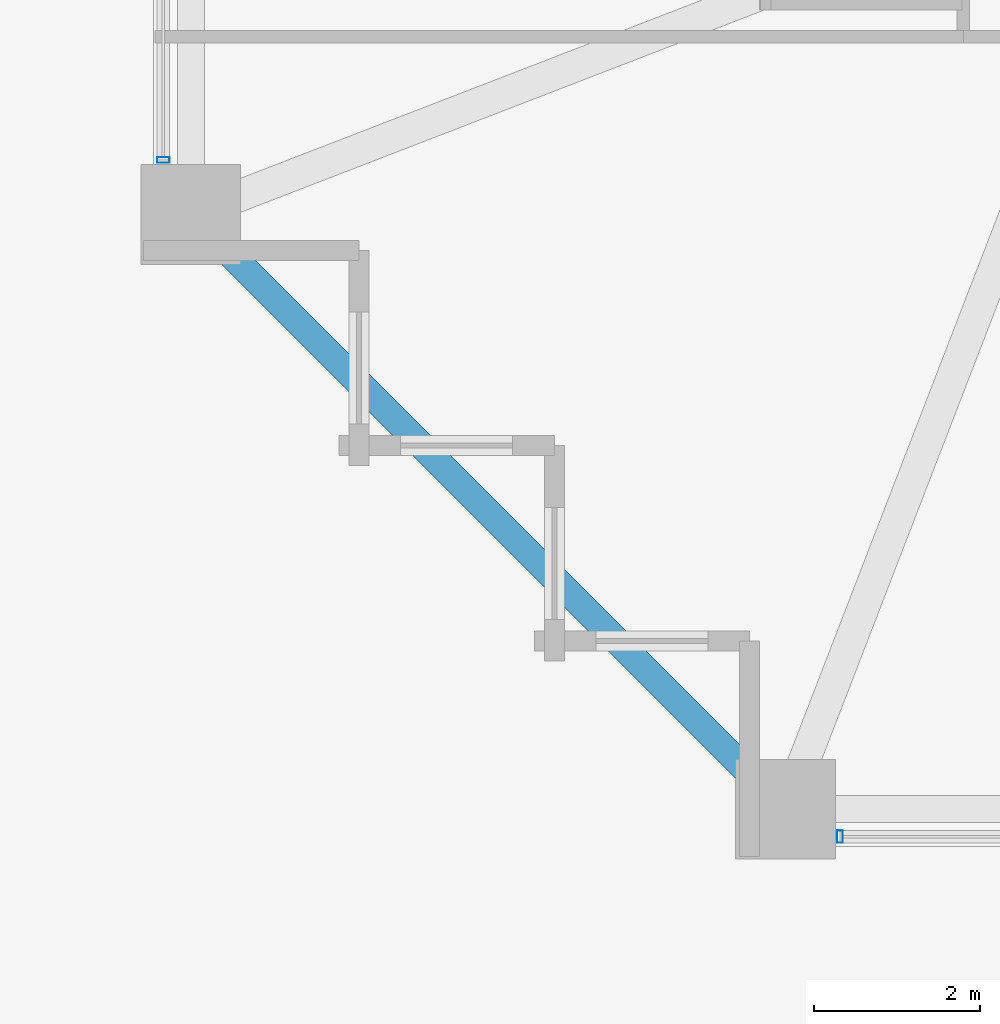
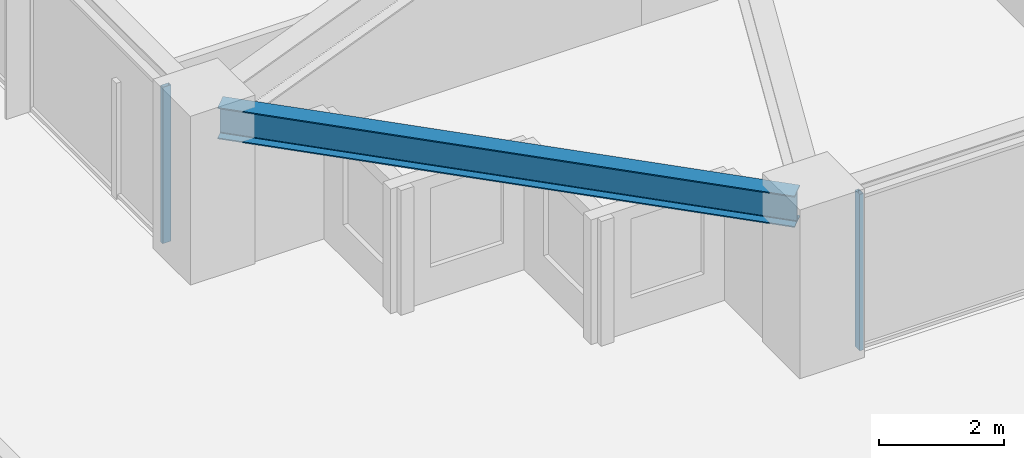
# One storey, part 2 of 36: 2 members, 1 beam, 2 elements without a shape of their own.
"""IFC4 building model written with IfcOpenShell, lengths in metres."""

from ifc_helpers import new_model, si_unit, direction, frame, origin, origin_2d, place, context, subcontext, project, spatial, hollow_rectangle, i_section, extrude, material, material_profile, profile_set, type_object, element, aggregate, save


model = new_model("IFC4")

# Units and contexts
model_context = context("Model", 3, precision=1e-05, world=origin(), true_north=direction((0.0, 1.0)))
body_context = subcontext(model_context, "Body", "Model", "MODEL_VIEW")
ifc_project = project(units=[si_unit("LENGTHUNIT", "METRE"), si_unit("AREAUNIT", "SQUARE_METRE"), si_unit("VOLUMEUNIT", "CUBIC_METRE"), si_unit("PLANEANGLEUNIT", "RADIAN"), si_unit("MASSUNIT", "GRAM", prefix="KILO")], contexts=[model_context])

# Site, building, storey
site_placement = place(None, origin())
site = spatial("IfcSite", under=ifc_project, at=site_placement, CompositionType="ELEMENT")
building_placement = place(site_placement, origin())
building = spatial("IfcBuilding", under=site, at=building_placement, Name="Kolvaren Belvedere", CompositionType="ELEMENT")
storey_placement = place(building_placement, frame((0.0, 0.0, 23.800048828125)))
storey = spatial("IfcBuildingStorey", under=building, at=storey_placement, Name="L06", CompositionType="ELEMENT", Elevation=23.800048828125)

# Beam
ifc_material_1 = material(Name="Structural steel ASTM A992 Grade 50", Category="steel")
ifc_material_profile_1 = material_profile(ifc_material_1, i_section(OverallWidth=0.324951171875, OverallDepth=0.615966796875, WebThickness=0.013916015625, FlangeThickness=0.021484375, FilletRadius=0.02001953125, at=origin_2d()), Name="W24X117")
ifc_profile_set_1 = profile_set([ifc_material_profile_1], Name="Structural steel ASTM A992 Grade 50")
beam_type = type_object("IfcBeamType", Name="BM-SPAN-W24X117", PredefinedType="SPANDREL", material=ifc_profile_set_1)
beam_placement = place(storey_placement, frame((-21.359130859375, -14.5908203125, 2.751953125), z_axis=(0.707106781187, -0.707106781187, 0.0), x_axis=(0.707106781187, 0.707106781187, 0.0)))
element("IfcBeam", 1, at=beam_placement, inside=storey, type_object=beam_type, Name="L06 Perimeter Spandrel W1-S1", PredefinedType="SPANDREL", context=body_context, shape_type="SweptSolid", body=[
    extrude(i_section(OverallWidth=0.324951171875, OverallDepth=0.615966796875, WebThickness=0.013916015625, FlangeThickness=0.021484375, FilletRadius=0.02001953125, at=origin_2d()), origin(), (0.0, 0.0, 1.0), 9.57177734375),
])

# Curtain wall, member
ifc_material_2 = material(Name="Anodised pale-metal aluminium AA 6063-T6", Category="aluminium")
curtain_wall_type = type_object("IfcCurtainWallType", Name="CW-Z1-LOW", PredefinedType="NOTDEFINED", material=ifc_material_2)
curtain_wall_1_placement = place(storey_placement, origin())
curtain_wall_1 = element("IfcCurtainWall", 2, at=curtain_wall_1_placement, inside=storey, type_object=curtain_wall_type, Name="L06 Unitised Curtain Wall FCW-L06-S2-B2", PredefinedType="NOTDEFINED")
ifc_material_3 = material(Name="Anodised pale-metal aluminium AA 6063-T6", Category="aluminium")
ifc_material_profile_2 = material_profile(ifc_material_3, hollow_rectangle(XDim=0.070068359375, YDim=0.14990234375, WallThickness=0.004150390625, at=origin_2d()), Name="ALU-MUL-150X70")
ifc_profile_set_2 = profile_set([ifc_material_profile_2], Name="Anodised pale-metal aluminium AA 6063-T6")
member_type = type_object("IfcMemberType", Name="CW-MUL-150", PredefinedType="MULLION", material=ifc_profile_set_2)
member_1_placement = place(storey_placement, frame((-13.7451171875, -21.8798828125, 0.0), z_axis=(0.0, 0.0, 1.0), x_axis=(1.0, 0.0, 0.0)))
member_1 = element("IfcMember", 3, at=member_1_placement, type_object=member_type, Name="FCW-L06-S2-B2 Unitised Mullion 3", PredefinedType="MULLION", context=body_context, shape_type="SweptSolid", body=[
    extrude(hollow_rectangle(XDim=0.070068359375, YDim=0.14990234375, WallThickness=0.004150390625, at=origin_2d()), origin(), (0.0, 0.0, 1.0), 3.06005859375),
])
aggregate(curtain_wall_1, [member_1])

curtain_wall_2_placement = place(storey_placement, origin())
curtain_wall_2 = element("IfcCurtainWall", 4, at=curtain_wall_2_placement, inside=storey, type_object=curtain_wall_type, Name="L06 Unitised Curtain Wall FCW-L06-W-B1", PredefinedType="NOTDEFINED")
member_2_placement = place(storey_placement, frame((-21.8798828125, -13.7451171875, 0.0), z_axis=(0.0, 0.0, 1.0), x_axis=(0.0, 1.0, 0.0)))
member_2 = element("IfcMember", 5, at=member_2_placement, type_object=member_type, Name="FCW-L06-W-B1 Unitised Mullion 1", PredefinedType="MULLION", context=body_context, shape_type="SweptSolid", body=[
    extrude(hollow_rectangle(XDim=0.070068359375, YDim=0.14990234375, WallThickness=0.004150390625, at=origin_2d()), origin(), (0.0, 0.0, 1.0), 3.06005859375),
])
aggregate(curtain_wall_2, [member_2])

save(model, "model.ifc")
